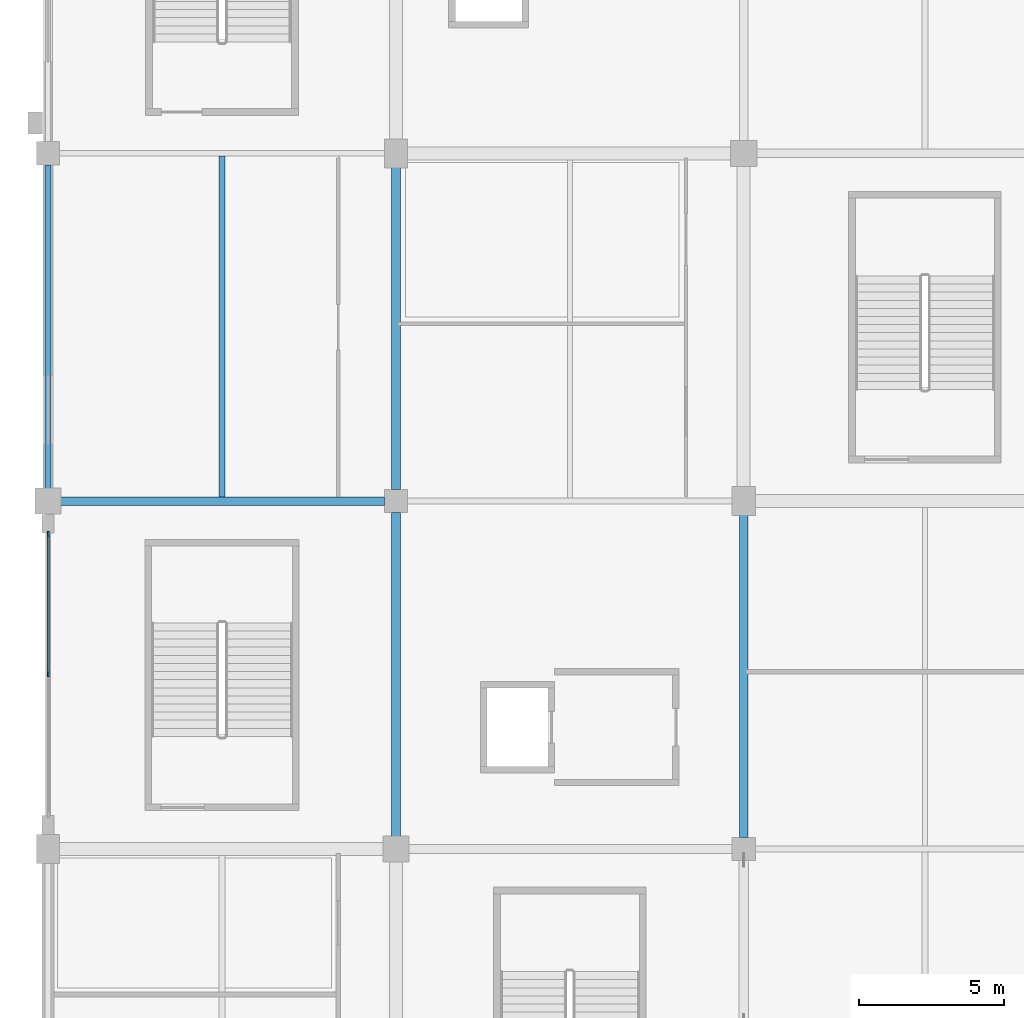
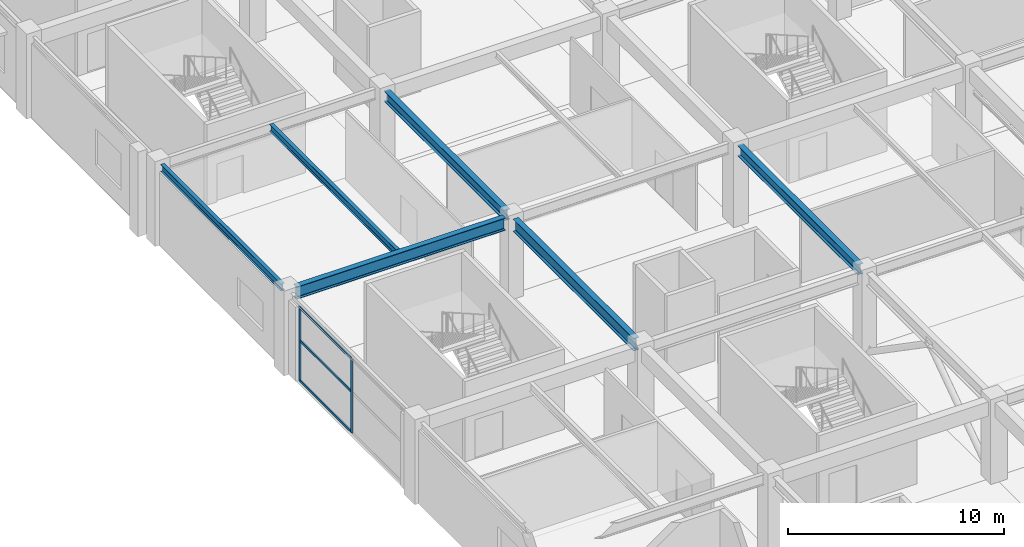
# One storey, part 23 of 134: 6 beams, 5 members, 1 element without a shape of its own.
"""IFC4 building model written with IfcOpenShell, lengths in metres."""

from ifc_helpers import new_model, si_unit, direction, frame, origin, origin_2d, place, context, subcontext, project, spatial, rectangle, i_section, extrude, material, layer, layer_set, material_profile, profile_set, type_object, element, aggregate, save


model = new_model("IFC4")

# Units and contexts
model_context = context("Model", 3, precision=1e-05, world=origin(), true_north=direction((0.0, 1.0)))
body_context = subcontext(model_context, "Body", "Model", "MODEL_VIEW")
ifc_project = project(units=[si_unit("LENGTHUNIT", "METRE"), si_unit("AREAUNIT", "SQUARE_METRE"), si_unit("VOLUMEUNIT", "CUBIC_METRE"), si_unit("PLANEANGLEUNIT", "RADIAN"), si_unit("MASSUNIT", "GRAM", prefix="KILO")], contexts=[model_context])

# Site, building, storey
site_placement = place(None, origin())
site = spatial("IfcSite", under=ifc_project, at=site_placement, CompositionType="ELEMENT")
building_placement = place(site_placement, origin())
building = spatial("IfcBuilding", under=site, at=building_placement, Name="Kazenohara Klinker Stadium", CompositionType="ELEMENT")
storey_placement = place(building_placement, frame((0.0, 0.0, 5.39990234375)))
storey = spatial("IfcBuildingStorey", under=building, at=storey_placement, Name="L01", CompositionType="ELEMENT", Elevation=5.39990234375)

# Beams
ifc_material_1 = material(Name="Steel S355", Category="steel")
ifc_material_profile_1 = material_profile(ifc_material_1, i_section(OverallWidth=0.199951171875, OverallDepth=0.39990234375, WebThickness=0.008056640625, FlangeThickness=0.012939453125, FilletRadius=0.012939453125, at=origin_2d()), Name="H-400x200x8x13")
ifc_profile_set_1 = profile_set([ifc_material_profile_1], Name="Steel S355")
beam_type_1 = type_object("IfcBeamType", Name="BM-JST03", PredefinedType="JOIST", material=ifc_profile_set_1)
beam_1_placement = place(storey_placement, frame((6.0, 120.14990234375, 4.35009765625), z_axis=(0.0, 1.0, 0.0), x_axis=(-1.0, 0.0, 0.0)))
element("IfcBeam", 1, at=beam_1_placement, inside=storey, type_object=beam_type_1, Name="Secondary floor joist SJ03 L01 1/L", PredefinedType="JOIST", context=body_context, shape_type="SweptSolid", body=[
    extrude(i_section(OverallWidth=0.199951171875, OverallDepth=0.39990234375, WebThickness=0.008056640625, FlangeThickness=0.012939453125, FilletRadius=0.012939453125, at=origin_2d()), origin(), (0.0, 0.0, 1.0), 11.75),
])
ifc_material_profile_2 = material_profile(ifc_material_1, i_section(OverallWidth=0.199951171875, OverallDepth=0.39990234375, WebThickness=0.008056640625, FlangeThickness=0.012939453125, FilletRadius=0.012939453125, at=origin_2d()), Name="H-400x200x8x13")
ifc_profile_set_2 = profile_set([ifc_material_profile_2], Name="Steel S355")
beam_type_2 = type_object("IfcBeamType", Name="BM-SPD01", PredefinedType="SPANDREL", material=ifc_profile_set_2)
beam_2_placement = place(storey_placement, frame((0.0, 120.419921875, 4.35009765625), z_axis=(0.0, 1.0, 0.0), x_axis=(-1.0, 0.0, 0.0)))
element("IfcBeam", 2, at=beam_2_placement, inside=storey, type_object=beam_type_2, Name="Primary girder SP01 L01 1/L-M", PredefinedType="SPANDREL", context=body_context, shape_type="SweptSolid", body=[
    extrude(i_section(OverallWidth=0.199951171875, OverallDepth=0.39990234375, WebThickness=0.008056640625, FlangeThickness=0.012939453125, FilletRadius=0.012939453125, at=origin_2d()), origin(), (0.0, 0.0, 1.0), 11.18017578125),
])
ifc_material_profile_3 = material_profile(ifc_material_1, i_section(OverallWidth=0.300048828125, OverallDepth=0.699951171875, WebThickness=0.012939453125, FlangeThickness=0.02392578125, FilletRadius=0.02197265625, at=origin_2d()), Name="H-700x300x13x24")
ifc_profile_set_3 = profile_set([ifc_material_profile_3], Name="Steel S355")
beam_type_3 = type_object("IfcBeamType", Name="BM-ST03", PredefinedType="BEAM", material=ifc_profile_set_3)
for number, where, z_axis, x_axis, name in (
    (3, (0.419921875, 120.0, 4.2001953125), (1.0, 0.0, 0.0), (0.0, 1.0, 0.0), "Primary girder SB03 L01 1-2/L"),
    (4, (12.0, 108.419921875, 4.2001953125), (0.0, 1.0, 0.0), (-1.0, 0.0, 0.0), "Primary girder SB03 L01 2/K-L"),
):
    element("IfcBeam", number, at=place(storey_placement, frame(where, z_axis=z_axis, x_axis=x_axis)), inside=storey, type_object=beam_type_3, Name=name, PredefinedType="BEAM", context=body_context, shape_type="SweptSolid", body=[
        extrude(i_section(OverallWidth=0.300048828125, OverallDepth=0.699951171875, WebThickness=0.012939453125, FlangeThickness=0.02392578125, FilletRadius=0.02197265625, at=origin_2d()), origin(), (0.0, 0.0, 1.0), 11.18017578125),
    ])
ifc_material_profile_4 = material_profile(ifc_material_1, i_section(OverallWidth=0.300048828125, OverallDepth=0.587890625, WebThickness=0.011962890625, FlangeThickness=0.02001953125, FilletRadius=0.02197265625, at=origin_2d()), Name="H-588x300x12x20")
ifc_profile_set_4 = profile_set([ifc_material_profile_4], Name="Steel S355")
beam_type_4 = type_object("IfcBeamType", Name="BM-ST05", PredefinedType="BEAM", material=ifc_profile_set_4)
for number, where, z_axis, x_axis, name in (
    (5, (12.0, 120.39990234375, 4.256103515625), (0.0, 1.0, 0.0), (-1.0, 0.0, 0.0), "Primary girder SB05 L01 2/L-M"),
    (6, (24.0, 108.39990234375, 4.256103515625), (0.0, 1.0, 0.0), (-1.0, 0.0, 0.0), "Primary girder SB05 L01 3/K-L"),
):
    element("IfcBeam", number, at=place(storey_placement, frame(where, z_axis=z_axis, x_axis=x_axis)), inside=storey, type_object=beam_type_4, Name=name, PredefinedType="BEAM", context=body_context, shape_type="SweptSolid", body=[
        extrude(i_section(OverallWidth=0.300048828125, OverallDepth=0.587890625, WebThickness=0.011962890625, FlangeThickness=0.02001953125, FilletRadius=0.02197265625, at=origin_2d()), origin(), (0.0, 0.0, 1.0), 11.18017578125),
    ])

# Curtain wall, members
ifc_material_2 = material(Name="Anodised aluminium and triple glazing", Category="aluminium")
ifc_layer = layer(ifc_material_2, 0.199951171875)
ifc_layer_set = layer_set([ifc_layer], Name="Anodised aluminium and triple glazing")
curtain_wall_type = type_object("IfcCurtainWallType", Name="CW-SYS-03", PredefinedType="USERDEFINED", material=ifc_layer_set)
curtain_wall_placement = place(storey_placement, origin())
curtain_wall = element("IfcCurtainWall", 7, at=curtain_wall_placement, inside=storey, type_object=curtain_wall_type, Name="Unitised facade curtain wall CW03 L01 Y0-9", ObjectType="UNITISED CURTAIN WALL", PredefinedType="USERDEFINED")
ifc_material_3 = material(Name="Anodised aluminium 6063-T6", Category="aluminium")
ifc_material_profile_5 = material_profile(ifc_material_3, rectangle(XDim=0.06494140625, YDim=0.179931640625, at=origin_2d()), Name="ALU-MUL-65x180")
ifc_profile_set_5 = profile_set([ifc_material_profile_5], Name="Anodised aluminium 6063-T6")
member_type_1 = type_object("IfcMemberType", Name="CW-MUL-180", PredefinedType="MULLION", material=ifc_profile_set_5)
member_1_placement = place(storey_placement, frame((0.0, 114.02490234375, 0.0), z_axis=(0.0, 0.0, 1.0), x_axis=(-1.0, 0.0, 0.0)))
member_1 = element("IfcMember", 8, at=member_1_placement, type_object=member_type_1, Name="CW03 mullion 2", PredefinedType="MULLION", context=body_context, shape_type="SweptSolid", body=[
    extrude(rectangle(XDim=0.06494140625, YDim=0.179931640625, at=origin_2d()), origin(), (0.0, 0.0, 1.0), 4.2001953125),
])
member_2_placement = place(storey_placement, frame((0.0, 118.863525390625, 0.0), z_axis=(0.0, 0.0, 1.0), x_axis=(-1.0, 0.0, 0.0)))
member_2 = element("IfcMember", 9, at=member_2_placement, type_object=member_type_1, Name="CW03 mullion 3", PredefinedType="MULLION", context=body_context, shape_type="SweptSolid", body=[
    extrude(rectangle(XDim=0.06494140625, YDim=0.179931640625, at=origin_2d()), origin(), (0.0, 0.0, 1.0), 4.2001953125),
])
ifc_material_profile_6 = material_profile(ifc_material_3, rectangle(XDim=0.06494140625, YDim=0.139892578125, at=origin_2d()), Name="ALU-TRN-65x140")
ifc_profile_set_6 = profile_set([ifc_material_profile_6], Name="Anodised aluminium 6063-T6")
member_type_2 = type_object("IfcMemberType", Name="CW-TRN-140", PredefinedType="USERDEFINED", material=ifc_profile_set_6)
member_3_placement = place(storey_placement, frame((0.0, 114.0576171875, 0.03271484375), z_axis=(0.0, 1.0, 0.0), x_axis=(-1.0, 0.0, 0.0)))
member_3 = element("IfcMember", 10, at=member_3_placement, type_object=member_type_2, Name="CW03 transom 2.1", ObjectType="TRANSOM", PredefinedType="USERDEFINED", context=body_context, shape_type="SweptSolid", body=[
    extrude(rectangle(XDim=0.06494140625, YDim=0.139892578125, at=origin_2d()), origin(), (0.0, 0.0, 1.0), 4.7734375),
])
member_4_placement = place(storey_placement, frame((0.0, 114.0576171875, 2.31005859375), z_axis=(0.0, 1.0, 0.0), x_axis=(-1.0, 0.0, 0.0)))
member_4 = element("IfcMember", 11, at=member_4_placement, type_object=member_type_2, Name="CW03 transom 2.2", ObjectType="TRANSOM", PredefinedType="USERDEFINED", context=body_context, shape_type="SweptSolid", body=[
    extrude(rectangle(XDim=0.06494140625, YDim=0.139892578125, at=origin_2d()), origin(), (0.0, 0.0, 1.0), 4.7734375),
])
member_5_placement = place(storey_placement, frame((0.0, 114.0576171875, 4.16748046875), z_axis=(0.0, 1.0, 0.0), x_axis=(-1.0, 0.0, 0.0)))
member_5 = element("IfcMember", 12, at=member_5_placement, type_object=member_type_2, Name="CW03 transom 2.3", ObjectType="TRANSOM", PredefinedType="USERDEFINED", context=body_context, shape_type="SweptSolid", body=[
    extrude(rectangle(XDim=0.06494140625, YDim=0.139892578125, at=origin_2d()), origin(), (0.0, 0.0, 1.0), 4.7734375),
])
aggregate(curtain_wall, [member_1, member_2, member_3, member_4, member_5])

save(model, "model.ifc")
